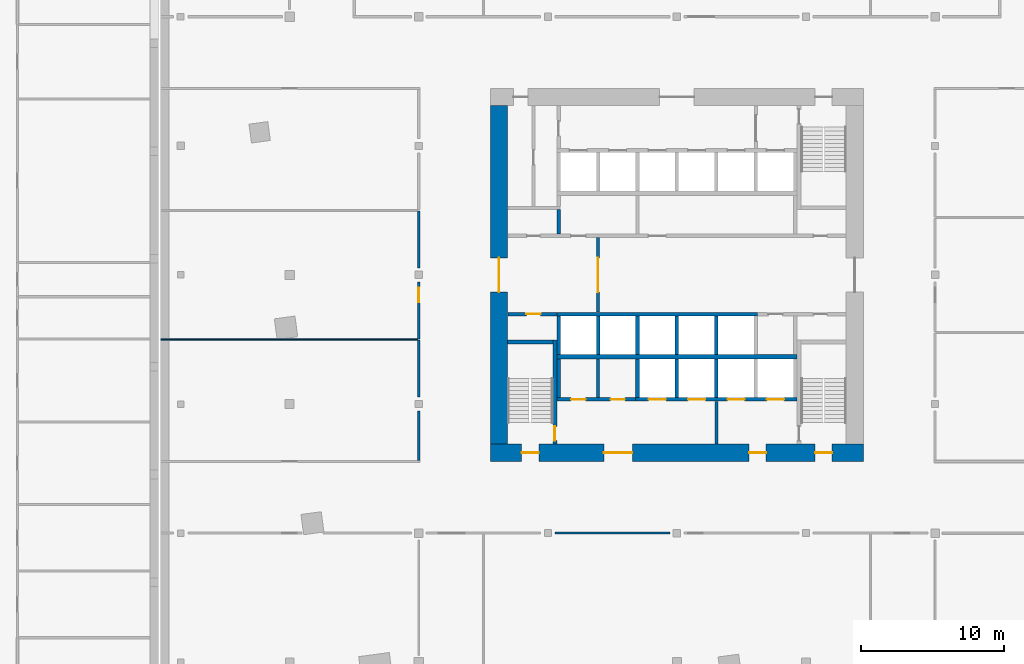
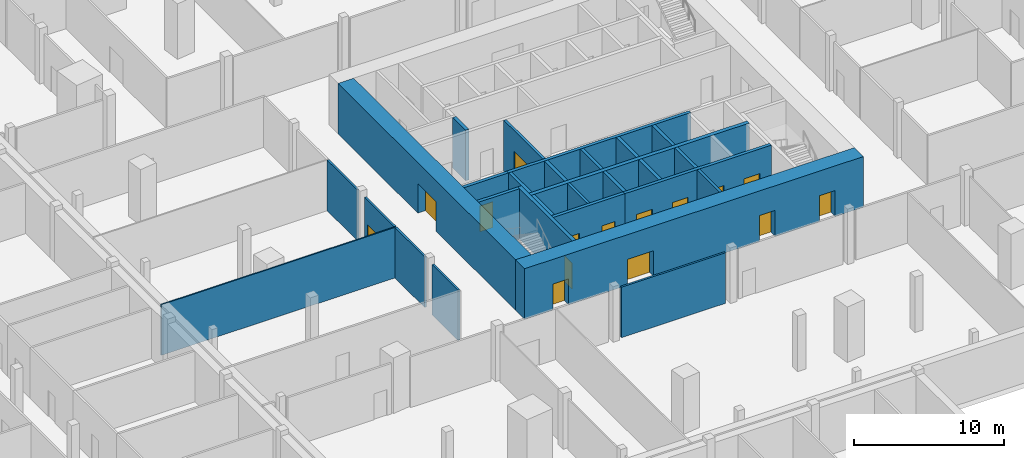
# One storey, part 7 of 18: 28 walls, 15 doors, 15 openings.
"""IFC4 building model written with IfcOpenShell, lengths in metres."""

import ifcopenshell
import ifcopenshell.guid

model = None  # the IFC model being written
_history = None  # IfcOwnerHistory: only IFC2X3 demands one
_inside = {}  # id of a spatial element -> (the spatial element, [elements in it])
_under = {}  # id of a project, library or spatial element -> (it, [spatial elements below it])
_declared = {}  # id of a project -> (the project, [libraries it declares])
_typed = {}  # id of a type object -> (the type object, [elements of that type])
_made_of = {}  # id of a material, layer set ... -> (it, [elements and type objects made of it])


def new_model(schema):
    """Start an empty IFC model of exactly this schema.

    Asked for "IFC4X3", IfcOpenShell would pick the latest addendum, in which some entities
    have other attributes; the version numbers below select the first issue.
    IFC2X3 requires an IfcOwnerHistory on every rooted entity: one is made here for all.
    """
    global model, _history
    if schema == "IFC4X3":
        model = ifcopenshell.file(schema_version=(4, 3, 0, 0))
    else:
        model = ifcopenshell.file(schema=schema)
    _inside.clear()
    _under.clear()
    _declared.clear()
    _typed.clear()
    _made_of.clear()
    _history = None
    if model.schema == "IFC2X3":
        org = make("IfcOrganization", Name="unknown")
        user = make(
            "IfcPersonAndOrganization",
            ThePerson=make("IfcPerson", FamilyName="unknown"),
            TheOrganization=org,
        )
        app = make(
            "IfcApplication",
            ApplicationDeveloper=org,
            Version="unknown",
            ApplicationFullName="unknown",
            ApplicationIdentifier="unknown",
        )
        _history = make(
            "IfcOwnerHistory",
            OwningUser=user,
            OwningApplication=app,
            ChangeAction="ADDED",
            CreationDate=0,
        )
    return model


def make(cls, **values):
    """One entity of the class cls with the attributes given. An attribute that is None is left unset."""
    return model.create_entity(
        cls, **{name: value for name, value in values.items() if value is not None}
    )


def rooted(cls, **values):
    """An entity with a GlobalId (a new one), such as an element, a storey or a relation."""
    return make(cls, GlobalId=ifcopenshell.guid.new(), OwnerHistory=_history, **values)


def si_unit(unit_type, name, prefix=None):
    """IfcSIUnit, for example si_unit("LENGTHUNIT", "METRE", prefix="MILLI")."""
    return make("IfcSIUnit", UnitType=unit_type, Prefix=prefix, Name=name)


def assignment(units):
    """IfcUnitAssignment: the units of a project."""
    return None if units is None else make("IfcUnitAssignment", Units=units)


def point(xyz):
    """IfcCartesianPoint."""
    return None if xyz is None else make("IfcCartesianPoint", Coordinates=xyz)


def direction(xyz):
    """IfcDirection."""
    return None if xyz is None else make("IfcDirection", DirectionRatios=xyz)


def frame(location, z_axis=None, x_axis=None):
    """IfcAxis2Placement3D, a coordinate frame: its origin and axes. An axis left out is left unset."""
    return make(
        "IfcAxis2Placement3D",
        Location=point(location),
        Axis=direction(z_axis),
        RefDirection=direction(x_axis),
    )


def frame_2d(location, x_axis=None):
    """IfcAxis2Placement2D, a coordinate frame in the plane: its origin and x axis."""
    return make(
        "IfcAxis2Placement2D", Location=point(location), RefDirection=direction(x_axis)
    )


def origin():
    """The frame at (0, 0, 0) with its axes left unset."""
    return frame((0.0, 0.0, 0.0))


def place(relative_to, where):
    """IfcLocalPlacement: puts the frame where relative to a parent placement (None: the world)."""
    return make(
        "IfcLocalPlacement", PlacementRelTo=relative_to, RelativePlacement=where
    )


def context(
    kind, dimensions, precision=None, world=None, true_north=None, identifier=None
):
    """IfcGeometricRepresentationContext, for example the 3D "Model" context."""
    return make(
        "IfcGeometricRepresentationContext",
        ContextIdentifier=identifier,
        ContextType=kind,
        CoordinateSpaceDimension=dimensions,
        Precision=precision,
        WorldCoordinateSystem=world,
        TrueNorth=true_north,
    )


def subcontext(parent, identifier, kind, view, scale=None):
    """IfcGeometricRepresentationSubContext, for example "Body" below "Model"."""
    return make(
        "IfcGeometricRepresentationSubContext",
        ContextIdentifier=identifier,
        ContextType=kind,
        ParentContext=parent,
        TargetScale=scale,
        TargetView=view,
    )


def project(units=None, contexts=None):
    """IfcProject with its units and contexts."""
    return rooted(
        "IfcProject",
        Name="project",
        RepresentationContexts=contexts,
        UnitsInContext=assignment(units),
    )


def spatial(cls, under=None, at=None, **own):
    """A site, building, storey or space (cls), placed at a placement, below another one or the project."""
    s = rooted(cls, ObjectPlacement=at, **own)
    if under is not None:
        _under.setdefault(under.id(), (under, []))[1].append(s)
    return s


def profile(cls, at=None, kind="AREA", **sizes):
    """A parametric profile (cls). Its sizes go by their IFC names, for example OverallWidth=200.0."""
    return make(cls, ProfileType=kind, Position=at, **sizes)


def rectangle(**sizes):
    """IfcRectangleProfileDef."""
    return profile("IfcRectangleProfileDef", **sizes)


def extrude(swept, where, along, depth):
    """IfcExtrudedAreaSolid: the profile swept, set in the frame where, extruded along a direction by depth."""
    return make(
        "IfcExtrudedAreaSolid",
        SweptArea=swept,
        Position=where,
        ExtrudedDirection=direction(along),
        Depth=depth,
    )


def shape(context_of_items, identifier, shape_type, items):
    """IfcShapeRepresentation: the items that make up one representation, for example the "Body"."""
    return make(
        "IfcShapeRepresentation",
        ContextOfItems=context_of_items,
        RepresentationIdentifier=identifier,
        RepresentationType=shape_type,
        Items=items,
    )


def material(Name=None, Category=None):
    """IfcMaterial."""
    return make("IfcMaterial", Name=Name, Category=Category)


def layer(
    of_material, thickness, ventilated=None, Name=None, Category=None, Priority=None
):
    """IfcMaterialLayer: one layer of a wall or slab, of a material (None: an air gap)."""
    return make(
        "IfcMaterialLayer",
        Material=of_material,
        LayerThickness=thickness,
        IsVentilated=ventilated,
        Name=Name,
        Category=Category,
        Priority=Priority,
    )


def layer_set(layers, Name=None):
    """IfcMaterialLayerSet."""
    return make("IfcMaterialLayerSet", MaterialLayers=layers, LayerSetName=Name)


def made_of(thing, what):
    """Note that an element or type object is made of a material, layer set ...; save() writes the relation."""
    if what is not None:
        _made_of.setdefault(what.id(), (what, []))[1].append(thing)
    return thing


def type_object(cls, material=None, **own):
    """A type object (cls), such as IfcWallType, which elements share."""
    return made_of(rooted(cls, **own), material)


def element(
    cls,
    number,
    at=None,
    inside=None,
    cuts=None,
    type_object=None,
    material=None,
    context=None,
    identifier="Body",
    shape_type=None,
    held_by="IfcProductDefinitionShape",
    body=None,
    shapes=None,
    **own,
):
    """One element of the class cls, such as IfcWall. Its Tag is "e" and its number.

    at: its placement. inside: the storey or other place that contains it. cuts: it is an
    opening in that element (IfcRelVoidsElement). A single representation is given by context,
    identifier, shape_type and body (its items); several are given by shapes. held_by: the class
    of the entity that holds the representations. save() writes the other relations.
    """
    e = rooted(cls, Tag="e%d" % number, ObjectPlacement=at, **own)
    if body is not None:
        shapes = [shape(context, identifier, shape_type, body)]
    if shapes is not None:
        e.Representation = make(held_by, Representations=shapes)
    if inside is not None:
        _inside.setdefault(inside.id(), (inside, []))[1].append(e)
    if cuts is not None:
        rooted(
            "IfcRelVoidsElement", RelatingBuildingElement=cuts, RelatedOpeningElement=e
        )
    if type_object is not None:
        _typed.setdefault(type_object.id(), (type_object, []))[1].append(e)
    return made_of(e, material)


def fill(opening, filler):
    """IfcRelFillsElement: the door or window that sits in an opening."""
    return rooted(
        "IfcRelFillsElement",
        RelatingOpeningElement=opening,
        RelatedBuildingElement=filler,
    )


def aggregate(whole, parts):
    """IfcRelAggregates: a whole, such as a stair, and the parts it consists of."""
    return rooted("IfcRelAggregates", RelatingObject=whole, RelatedObjects=parts)


def save(model, path):
    """Write the relations noted so far, then the file.

    IfcRelAggregates (storeys below a building ...), IfcRelContainedInSpatialStructure (elements
    in a storey), IfcRelDefinesByType, IfcRelAssociatesMaterial and IfcRelDeclares: one each for
    every whole, place, type object, material and project.
    """
    for whole, parts in _under.values():
        aggregate(whole, parts)
    for where, things in _inside.values():
        rooted(
            "IfcRelContainedInSpatialStructure",
            RelatedElements=things,
            RelatingStructure=where,
        )
    for kind, things in _typed.values():
        rooted("IfcRelDefinesByType", RelatedObjects=things, RelatingType=kind)
    for what, things in _made_of.values():
        rooted("IfcRelAssociatesMaterial", RelatedObjects=things, RelatingMaterial=what)
    for by, libraries in _declared.values():
        rooted("IfcRelDeclares", RelatingContext=by, RelatedDefinitions=libraries)
    model.write(path)


model = new_model("IFC4")

# Units and contexts
model_context = context("Model", 3, precision=1e-05, world=origin(), true_north=direction((0.0, 1.0)))
body_context = subcontext(model_context, "Body", "Model", "MODEL_VIEW")
ifc_project = project(units=[si_unit("LENGTHUNIT", "METRE"), si_unit("AREAUNIT", "SQUARE_METRE"), si_unit("VOLUMEUNIT", "CUBIC_METRE"), si_unit("PLANEANGLEUNIT", "RADIAN"), si_unit("MASSUNIT", "GRAM", prefix="KILO")], contexts=[model_context])

# Site, building, storey
site_placement = place(None, origin())
site = spatial("IfcSite", under=ifc_project, at=site_placement, CompositionType="ELEMENT")
building_placement = place(site_placement, origin())
building = spatial("IfcBuilding", under=site, at=building_placement, Name="Dilmun Exchange Tower", CompositionType="ELEMENT")
storey_placement = place(building_placement, frame((0.0, 0.0, 13.5)))
storey = spatial("IfcBuildingStorey", under=building, at=storey_placement, Name="L03", CompositionType="ELEMENT", Elevation=13.5)

# Walls
ifc_material_1 = material(Name="Concrete C40/50", Category="concrete")
ifc_layer_1 = layer(ifc_material_1, 0.199951171875)
ifc_layer_set_1 = layer_set([ifc_layer_1], Name="Concrete C40/50")
wall_type_1 = type_object("IfcWallType", Name="Core partition wall 200", PredefinedType="PARTITIONING", material=ifc_layer_set_1)
wall_1_placement = place(storey_placement, frame((2.75, -11.794921875, 0.0), z_axis=(0.0, 0.0, 1.0), x_axis=(0.0, 1.0, 0.0)))
element("IfcWall", 1, at=wall_1_placement, inside=storey, type_object=wall_type_1, Name="L03 core partition wall 01", PredefinedType="PARTITIONING", context=body_context, shape_type="SweptSolid", body=[
    extrude(rectangle(XDim=2.989990234375, YDim=0.199951171875, at=frame_2d((1.4951171875, 0.0))), origin(), (0.0, 0.0, 1.0), 4.10009765625),
])
wall_2_placement = place(storey_placement, frame((-5.5, -8.544921875, 0.0), z_axis=(0.0, 0.0, 1.0), x_axis=(0.0, 1.0, 0.0)))
element("IfcWall", 2, at=wall_2_placement, inside=storey, type_object=wall_type_1, Name="L03 core partition wall 04", PredefinedType="PARTITIONING", context=body_context, shape_type="SweptSolid", body=[
    extrude(rectangle(XDim=2.68994140625, YDim=0.199951171875, at=frame_2d((1.344970703125, 0.0))), origin(), (0.0, 0.0, 1.0), 4.10009765625),
])

# Wall, opening, door
wall_3_placement = place(storey_placement, frame((-5.5, -2.594970703125, 0.0), z_axis=(0.0, 0.0, 1.0), x_axis=(0.0, 1.0, 0.0)))
wall_3 = element("IfcWall", 3, at=wall_3_placement, inside=storey, type_object=wall_type_1, Name="L03 core partition wall 08", PredefinedType="PARTITIONING", context=body_context, shape_type="SweptSolid", body=[
    extrude(rectangle(XDim=5.18994140625, YDim=0.199951171875, at=frame_2d((2.594970703125, 0.0))), origin(), (0.0, 0.0, 1.0), 4.10009765625),
])
opening_1_placement = place(wall_3_placement, frame((1.39501953125, 0.0, 0.0)))
opening_1 = element("IfcOpeningElement", 4, at=opening_1_placement, cuts=wall_3, Name="Opening CD1", PredefinedType="OPENING", context=body_context, shape_type="SweptSolid", body=[
    extrude(rectangle(XDim=2.39990234375, YDim=2.39990234375, at=frame_2d((1.199951171875, 1.199951171875))), frame((0.0, 0.10986328125, 0.0), z_axis=(0.0, -1.0, 0.0), x_axis=(1.0, 0.0, 0.0)), (0.0, 0.0, 1.0), 0.219970703125),
])
ifc_material_2 = material(Name="Fire-rated steel door set", Category="steel")
door_type_1 = type_object("IfcDoorType", Name="Core lobby door 2400x2400", OperationType="DOUBLE_DOOR_DOUBLE_SWING", PredefinedType="DOOR", material=ifc_material_2)
door_1_placement = place(opening_1_placement, origin())
door_1 = element("IfcDoor", 5, at=door_1_placement, inside=storey, type_object=door_type_1, Name="L03 door Lift lobby east", OperationType="DOUBLE_DOOR_DOUBLE_SWING", OverallHeight=2.39990234375, OverallWidth=2.39990234375, PredefinedType="DOOR", context=body_context, shape_type="SweptSolid", body=[
    extrude(rectangle(XDim=2.39990234375, YDim=2.39990234375, at=frame_2d((1.199951171875, 1.199951171875))), frame((0.0, 0.02490234375, 0.0), z_axis=(0.0, -1.0, 0.0), x_axis=(1.0, 0.0, 0.0)), (0.0, 0.0, 1.0), 0.050048828125),
])
fill(opening_1, door_1)

# Wall, openings, doors
ifc_layer_2 = layer(ifc_material_1, 0.25)
ifc_layer_set_2 = layer_set([ifc_layer_2], Name="Concrete C40/50")
wall_type_2 = type_object("IfcWallType", Name="Core partition wall 250", PredefinedType="PARTITIONING", material=ifc_layer_set_2)
wall_4_placement = place(storey_placement, frame((-8.3701171875, -8.675048828125, 0.0), z_axis=(0.0, 0.0, 1.0), x_axis=(1.0, 0.0, 0.0)))
wall_4 = element("IfcWall", 6, at=wall_4_placement, inside=storey, type_object=wall_type_2, Name="L03 core partition wall 02", PredefinedType="PARTITIONING", context=body_context, shape_type="SweptSolid", body=[
    extrude(rectangle(XDim=5.490234375, YDim=0.25, at=frame_2d((2.7451171875, 0.0))), origin(), (0.0, 0.0, 1.0), 4.10009765625),
])
opening_2_placement = place(wall_4_placement, frame((0.9951171875, 0.0, 0.0)))
opening_2 = element("IfcOpeningElement", 7, at=opening_2_placement, cuts=wall_4, Name="Opening CD4", PredefinedType="OPENING", context=body_context, shape_type="SweptSolid", body=[
    extrude(rectangle(XDim=1.0, YDim=2.10009765625, at=frame_2d((0.5, 1.050048828125))), frame((0.0, 0.135009765625, 0.0), z_axis=(0.0, -1.0, 0.0), x_axis=(1.0, 0.0, 0.0)), (0.0, 0.0, 1.0), 0.27001953125),
])
opening_3_placement = place(wall_4_placement, frame((3.7451171875, 0.0, 0.0)))
opening_3 = element("IfcOpeningElement", 8, at=opening_3_placement, cuts=wall_4, Name="Opening CD4", PredefinedType="OPENING", context=body_context, shape_type="SweptSolid", body=[
    extrude(rectangle(XDim=1.0, YDim=2.10009765625, at=frame_2d((0.5, 1.050048828125))), frame((0.0, 0.135009765625, 0.0), z_axis=(0.0, -1.0, 0.0), x_axis=(1.0, 0.0, 0.0)), (0.0, 0.0, 1.0), 0.27001953125),
])
door_type_2 = type_object("IfcDoorType", Name="Core room door 1000x2100", OperationType="SINGLE_SWING_LEFT", PredefinedType="DOOR", material=ifc_material_2)
door_2_placement = place(opening_2_placement, origin())
door_2 = element("IfcDoor", 9, at=door_2_placement, inside=storey, type_object=door_type_2, Name="L03 door Male WC", OperationType="SINGLE_SWING_RIGHT", OverallHeight=2.10009765625, OverallWidth=1.0, PredefinedType="DOOR", context=body_context, shape_type="SweptSolid", body=[
    extrude(rectangle(XDim=1.0, YDim=2.10009765625, at=frame_2d((0.5, 1.050048828125))), frame((0.0, 0.02490234375, 0.0), z_axis=(0.0, -1.0, 0.0), x_axis=(1.0, 0.0, 0.0)), (0.0, 0.0, 1.0), 0.050048828125),
])
fill(opening_2, door_2)
door_3_placement = place(opening_3_placement, origin())
door_3 = element("IfcDoor", 10, at=door_3_placement, inside=storey, type_object=door_type_2, Name="L03 door Female WC", OperationType="SINGLE_SWING_RIGHT", OverallHeight=2.10009765625, OverallWidth=1.0, PredefinedType="DOOR", context=body_context, shape_type="SweptSolid", body=[
    extrude(rectangle(XDim=1.0, YDim=2.10009765625, at=frame_2d((0.5, 1.050048828125))), frame((0.0, 0.02490234375, 0.0), z_axis=(0.0, -1.0, 0.0), x_axis=(1.0, 0.0, 0.0)), (0.0, 0.0, 1.0), 0.050048828125),
])
fill(opening_3, door_3)

# Wall
wall_5_placement = place(storey_placement, frame((-8.25, -8.544921875, 0.0), z_axis=(0.0, 0.0, 1.0), x_axis=(0.0, 1.0, 0.0)))
element("IfcWall", 11, at=wall_5_placement, inside=storey, type_object=wall_type_2, Name="L03 core partition wall 03", PredefinedType="PARTITIONING", context=body_context, shape_type="SweptSolid", body=[
    extrude(rectangle(XDim=2.68994140625, YDim=0.25, at=frame_2d((1.344970703125, 0.0))), origin(), (0.0, 0.0, 1.0), 4.10009765625),
])

# Wall, opening, door
wall_6_placement = place(storey_placement, frame((-11.794921875, -2.72509765625, 0.0), z_axis=(0.0, 0.0, 1.0), x_axis=(1.0, 0.0, 0.0)))
wall_6 = element("IfcWall", 12, at=wall_6_placement, inside=storey, type_object=wall_type_2, Name="L03 core partition wall 06", PredefinedType="PARTITIONING", context=body_context, shape_type="SweptSolid", body=[
    extrude(rectangle(XDim=3.4150390625, YDim=0.25, at=frame_2d((1.70751953125, 0.0))), origin(), (0.0, 0.0, 1.0), 4.10009765625),
])
opening_4_placement = place(wall_6_placement, frame((1.294921875, 0.0, 0.0)))
opening_4 = element("IfcOpeningElement", 13, at=opening_4_placement, cuts=wall_6, Name="Opening CD4", PredefinedType="OPENING", context=body_context, shape_type="SweptSolid", body=[
    extrude(rectangle(XDim=1.0, YDim=2.10009765625, at=frame_2d((0.5, 1.050048828125))), frame((0.0, 0.135009765625, 0.0), z_axis=(0.0, -1.0, 0.0), x_axis=(1.0, 0.0, 0.0)), (0.0, 0.0, 1.0), 0.27001953125),
])
door_4_placement = place(opening_4_placement, origin())
door_4 = element("IfcDoor", 14, at=door_4_placement, inside=storey, type_object=door_type_2, Name="L03 door Accessible WC", OperationType="SINGLE_SWING_RIGHT", OverallHeight=2.10009765625, OverallWidth=1.0, PredefinedType="DOOR", context=body_context, shape_type="SweptSolid", body=[
    extrude(rectangle(XDim=1.0, YDim=2.10009765625, at=frame_2d((0.5, 1.050048828125))), frame((0.0, 0.02490234375, 0.0), z_axis=(0.0, -1.0, 0.0), x_axis=(1.0, 0.0, 0.0)), (0.0, 0.0, 1.0), 0.050048828125),
])
fill(opening_4, door_4)

# Wall
wall_7_placement = place(storey_placement, frame((-8.25, 2.85498046875, 0.0), z_axis=(0.0, 0.0, 1.0), x_axis=(0.0, 1.0, 0.0)))
element("IfcWall", 15, at=wall_7_placement, inside=storey, type_object=wall_type_2, Name="L03 core partition wall 10", PredefinedType="PARTITIONING", context=body_context, shape_type="SweptSolid", body=[
    extrude(rectangle(XDim=1.715087890625, YDim=0.25, at=frame_2d((0.857421875, 0.0))), origin(), (0.0, 0.0, 1.0), 4.10009765625),
])

# Wall, openings, doors
ifc_material_3 = material(Name="Concrete C80/95", Category="concrete")
ifc_layer_3 = layer(ifc_material_3, 1.199951171875)
ifc_layer_set_3 = layer_set([ifc_layer_3], Name="Concrete C80/95")
wall_type_3 = type_object("IfcWallType", Name="Core shear wall 1200 Concrete C80/95", PredefinedType="SHEAR", material=ifc_layer_set_3)
wall_8_placement = place(storey_placement, frame((-13.0, -12.39990234375, 0.0), z_axis=(0.0, 0.0, 1.0), x_axis=(1.0, 0.0, 0.0)))
wall_8 = element("IfcWall", 16, at=wall_8_placement, inside=storey, type_object=wall_type_3, Name="L03 core shear wall S", PredefinedType="SHEAR", context=body_context, shape_type="SweptSolid", body=[
    extrude(rectangle(XDim=26.0, YDim=1.199951171875, at=frame_2d((13.0, 0.0))), origin(), (0.0, 0.0, 1.0), 4.10009765625),
])
opening_5_placement = place(wall_8_placement, frame((7.89990234375, 0.0, 0.0)))
opening_5 = element("IfcOpeningElement", 17, at=opening_5_placement, cuts=wall_8, Name="Opening CD2", PredefinedType="OPENING", context=body_context, shape_type="SweptSolid", body=[
    extrude(rectangle(XDim=2.0, YDim=2.10009765625, at=frame_2d((1.0, 1.050048828125))), frame((0.0, 0.60986328125, 0.0), z_axis=(0.0, -1.0, 0.0), x_axis=(1.0, 0.0, 0.0)), (0.0, 0.0, 1.0), 1.219970703125),
])
opening_6_placement = place(wall_8_placement, frame((18.02490234375, 0.0, 0.0)))
opening_6 = element("IfcOpeningElement", 18, at=opening_6_placement, cuts=wall_8, Name="Opening CD3", PredefinedType="OPENING", context=body_context, shape_type="SweptSolid", body=[
    extrude(rectangle(XDim=1.199951171875, YDim=2.10009765625, at=frame_2d((0.60009765625, 1.050048828125))), frame((0.0, 0.60986328125, 0.0), z_axis=(0.0, -1.0, 0.0), x_axis=(1.0, 0.0, 0.0)), (0.0, 0.0, 1.0), 1.219970703125),
])
opening_7_placement = place(wall_8_placement, frame((2.175048828125, 0.0, 0.0)))
opening_7 = element("IfcOpeningElement", 19, at=opening_7_placement, cuts=wall_8, Name="Opening CD3", PredefinedType="OPENING", context=body_context, shape_type="SweptSolid", body=[
    extrude(rectangle(XDim=1.199951171875, YDim=2.10009765625, at=frame_2d((0.60009765625, 1.050048828125))), frame((0.0, 0.60986328125, 0.0), z_axis=(0.0, -1.0, 0.0), x_axis=(1.0, 0.0, 0.0)), (0.0, 0.0, 1.0), 1.219970703125),
])
opening_8_placement = place(wall_8_placement, frame((22.625, 0.0, 0.0)))
opening_8 = element("IfcOpeningElement", 20, at=opening_8_placement, cuts=wall_8, Name="Opening CD3", PredefinedType="OPENING", context=body_context, shape_type="SweptSolid", body=[
    extrude(rectangle(XDim=1.199951171875, YDim=2.10009765625, at=frame_2d((0.60009765625, 1.050048828125))), frame((0.0, 0.60986328125, 0.0), z_axis=(0.0, -1.0, 0.0), x_axis=(1.0, 0.0, 0.0)), (0.0, 0.0, 1.0), 1.219970703125),
])
door_type_3 = type_object("IfcDoorType", Name="Core service door 2000x2100", OperationType="DOUBLE_DOOR_DOUBLE_SWING", PredefinedType="DOOR", material=ifc_material_2)
door_5_placement = place(opening_5_placement, origin())
door_5 = element("IfcDoor", 21, at=door_5_placement, inside=storey, type_object=door_type_3, Name="L03 door South service lobby", OperationType="SINGLE_SWING_LEFT", OverallHeight=2.10009765625, OverallWidth=2.0, PredefinedType="DOOR", context=body_context, shape_type="SweptSolid", body=[
    extrude(rectangle(XDim=2.0, YDim=2.10009765625, at=frame_2d((1.0, 1.050048828125))), frame((0.0, 0.02490234375, 0.0), z_axis=(0.0, -1.0, 0.0), x_axis=(1.0, 0.0, 0.0)), (0.0, 0.0, 1.0), 0.050048828125),
])
fill(opening_5, door_5)
door_type_4 = type_object("IfcDoorType", Name="Stair exit door 1200x2100", OperationType="SINGLE_SWING_LEFT", PredefinedType="DOOR", material=ifc_material_2)
door_6_placement = place(opening_6_placement, origin())
door_6 = element("IfcDoor", 22, at=door_6_placement, inside=storey, type_object=door_type_4, Name="L03 door Fire-fighting lobby", OperationType="SINGLE_SWING_LEFT", OverallHeight=2.10009765625, OverallWidth=1.199951171875, PredefinedType="DOOR", context=body_context, shape_type="SweptSolid", body=[
    extrude(rectangle(XDim=1.199951171875, YDim=2.10009765625, at=frame_2d((0.60009765625, 1.050048828125))), frame((0.0, 0.02490234375, 0.0), z_axis=(0.0, -1.0, 0.0), x_axis=(1.0, 0.0, 0.0)), (0.0, 0.0, 1.0), 0.050048828125),
])
fill(opening_6, door_6)
door_7_placement = place(opening_7_placement, origin())
door_7 = element("IfcDoor", 23, at=door_7_placement, inside=storey, type_object=door_type_4, Name="L03 door Stair ST2", OperationType="SINGLE_SWING_LEFT", OverallHeight=2.10009765625, OverallWidth=1.199951171875, PredefinedType="DOOR", context=body_context, shape_type="SweptSolid", body=[
    extrude(rectangle(XDim=1.199951171875, YDim=2.10009765625, at=frame_2d((0.60009765625, 1.050048828125))), frame((0.0, 0.02490234375, 0.0), z_axis=(0.0, -1.0, 0.0), x_axis=(1.0, 0.0, 0.0)), (0.0, 0.0, 1.0), 0.050048828125),
])
fill(opening_7, door_7)
door_8_placement = place(opening_8_placement, origin())
door_8 = element("IfcDoor", 24, at=door_8_placement, inside=storey, type_object=door_type_4, Name="L03 door Stair ST3", OperationType="SINGLE_SWING_LEFT", OverallHeight=2.10009765625, OverallWidth=1.199951171875, PredefinedType="DOOR", context=body_context, shape_type="SweptSolid", body=[
    extrude(rectangle(XDim=1.199951171875, YDim=2.10009765625, at=frame_2d((0.60009765625, 1.050048828125))), frame((0.0, 0.02490234375, 0.0), z_axis=(0.0, -1.0, 0.0), x_axis=(1.0, 0.0, 0.0)), (0.0, 0.0, 1.0), 0.050048828125),
])
fill(opening_8, door_8)

# Wall, opening, door
wall_9_placement = place(storey_placement, frame((-12.39990234375, -11.800048828125, 0.0), z_axis=(0.0, 0.0, 1.0), x_axis=(0.0, 1.0, 0.0)))
wall_9 = element("IfcWall", 25, at=wall_9_placement, inside=storey, type_object=wall_type_3, Name="L03 core shear wall W", PredefinedType="SHEAR", context=body_context, shape_type="SweptSolid", body=[
    extrude(rectangle(XDim=23.60009765625, YDim=1.199951171875, at=frame_2d((11.800048828125, 0.0))), origin(), (0.0, 0.0, 1.0), 4.10009765625),
])
opening_9_placement = place(wall_9_placement, frame((10.60009765625, 0.0, 0.0)))
opening_9 = element("IfcOpeningElement", 26, at=opening_9_placement, cuts=wall_9, Name="Opening CD1", PredefinedType="OPENING", context=body_context, shape_type="SweptSolid", body=[
    extrude(rectangle(XDim=2.39990234375, YDim=2.39990234375, at=frame_2d((1.199951171875, 1.199951171875))), frame((0.0, 0.60986328125, 0.0), z_axis=(0.0, -1.0, 0.0), x_axis=(1.0, 0.0, 0.0)), (0.0, 0.0, 1.0), 1.219970703125),
])
door_9_placement = place(opening_9_placement, origin())
door_9 = element("IfcDoor", 27, at=door_9_placement, inside=storey, type_object=door_type_1, Name="L03 door Central lift lobby", OperationType="SINGLE_SWING_LEFT", OverallHeight=2.39990234375, OverallWidth=2.39990234375, PredefinedType="DOOR", context=body_context, shape_type="SweptSolid", body=[
    extrude(rectangle(XDim=2.39990234375, YDim=2.39990234375, at=frame_2d((1.199951171875, 1.199951171875))), frame((0.0, 0.02490234375, 0.0), z_axis=(0.0, -1.0, 0.0), x_axis=(1.0, 0.0, 0.0)), (0.0, 0.0, 1.0), 0.050048828125),
])
fill(opening_9, door_9)

# Walls
ifc_material_4 = material(Name="Fire partition EI 60 150 gypsum")
ifc_layer_4 = layer(ifc_material_4, 0.14990234375)
ifc_layer_set_4 = layer_set([ifc_layer_4], Name="Fire partition EI 60 150 gypsum")
wall_type_4 = type_object("IfcWallType", Name="Fire partition EI 60 150 gypsum", PredefinedType="PARTITIONING", material=ifc_layer_set_4)
wall_10_placement = place(storey_placement, frame((-8.5, -18.0, 0.0), z_axis=(0.0, 0.0, 1.0), x_axis=(1.0, 0.0, 0.0)))
element("IfcWall", 28, at=wall_10_placement, inside=storey, type_object=wall_type_4, Name="L03 partition", PredefinedType="PARTITIONING", context=body_context, shape_type="SweptSolid", body=[
    extrude(rectangle(XDim=8.0, YDim=0.14990234375, at=frame_2d((4.0, 0.0))), origin(), (0.0, 0.0, 1.0), 4.10009765625),
])
wall_11_placement = place(storey_placement, frame((-18.0, -12.925048828125, 0.0), z_axis=(0.0, 0.0, 1.0), x_axis=(0.0, 1.0, 0.0)))
element("IfcWall", 29, at=wall_11_placement, inside=storey, type_object=wall_type_4, Name="L03 partition", PredefinedType="PARTITIONING", context=body_context, shape_type="SweptSolid", body=[
    extrude(rectangle(XDim=3.425048828125, YDim=0.14990234375, at=frame_2d((1.71240234375, 0.0))), origin(), (0.0, 0.0, 1.0), 4.10009765625),
])
wall_12_placement = place(storey_placement, frame((-18.0, -8.5, 0.0), z_axis=(0.0, 0.0, 1.0), x_axis=(0.0, 1.0, 0.0)))
element("IfcWall", 30, at=wall_12_placement, inside=storey, type_object=wall_type_4, Name="L03 partition", PredefinedType="PARTITIONING", context=body_context, shape_type="SweptSolid", body=[
    extrude(rectangle(XDim=3.949951171875, YDim=0.14990234375, at=frame_2d((1.97509765625, 0.0))), origin(), (0.0, 0.0, 1.0), 4.10009765625),
])

# Wall, opening, door
wall_13_placement = place(storey_placement, frame((-18.0, -4.449951171875, 0.0), z_axis=(0.0, 0.0, 1.0), x_axis=(0.0, 1.0, 0.0)))
wall_13 = element("IfcWall", 31, at=wall_13_placement, inside=storey, type_object=wall_type_4, Name="L03 partition", PredefinedType="PARTITIONING", context=body_context, shape_type="SweptSolid", body=[
    extrude(rectangle(XDim=3.949951171875, YDim=0.14990234375, at=frame_2d((1.97509765625, 0.0))), origin(), (0.0, 0.0, 1.0), 4.10009765625),
])
opening_10_placement = place(wall_13_placement, frame((2.550048828125, 0.0, 0.0)))
opening_10 = element("IfcOpeningElement", 32, at=opening_10_placement, cuts=wall_13, Name="Opening L03-D018", PredefinedType="OPENING", context=body_context, shape_type="SweptSolid", body=[
    extrude(rectangle(XDim=1.0, YDim=2.10009765625, at=frame_2d((0.5, 1.050048828125))), frame((0.0, 0.0849609375, 0.0), z_axis=(0.0, -1.0, 0.0), x_axis=(1.0, 0.0, 0.0)), (0.0, 0.0, 1.0), 0.169921875),
])
ifc_material_5 = material(Name="Fire door FD60 1000 x 2100")
door_type_5 = type_object("IfcDoorType", Name="Fire door FD60 1000 x 2100", OperationType="SINGLE_SWING_LEFT", PredefinedType="DOOR", material=ifc_material_5)
door_10_placement = place(opening_10_placement, origin())
door_10 = element("IfcDoor", 33, at=door_10_placement, inside=storey, type_object=door_type_5, Name="L03 door L03-D018", OperationType="SINGLE_SWING_RIGHT", OverallHeight=2.10009765625, OverallWidth=1.0, PredefinedType="DOOR", context=body_context, shape_type="SweptSolid", body=[
    extrude(rectangle(XDim=1.0, YDim=2.10009765625, at=frame_2d((0.5, 1.050048828125))), frame((0.0, 0.02490234375, 0.0), z_axis=(0.0, -1.0, 0.0), x_axis=(1.0, 0.0, 0.0)), (0.0, 0.0, 1.0), 0.050048828125),
])
fill(opening_10, door_10)

# Walls
wall_14_placement = place(storey_placement, frame((-18.0, 0.5, 0.0), z_axis=(0.0, 0.0, 1.0), x_axis=(0.0, 1.0, 0.0)))
element("IfcWall", 34, at=wall_14_placement, inside=storey, type_object=wall_type_4, Name="L03 partition", PredefinedType="PARTITIONING", context=body_context, shape_type="SweptSolid", body=[
    extrude(rectangle(XDim=3.949951171875, YDim=0.14990234375, at=frame_2d((1.97509765625, 0.0))), origin(), (0.0, 0.0, 1.0), 4.10009765625),
])
ifc_layer_5 = layer(ifc_material_1, 0.300048828125)
ifc_layer_set_5 = layer_set([ifc_layer_5], Name="Concrete C40/50")
wall_type_5 = type_object("IfcWallType", Name="Lift shaft shared wall 300", PredefinedType="SOLIDWALL", material=ifc_layer_set_5)
wall_15_placement = place(storey_placement, frame((-8.375, -5.699951171875, 0.0), z_axis=(0.0, 0.0, 1.0), x_axis=(1.0, 0.0, 0.0)))
element("IfcWall", 35, at=wall_15_placement, inside=storey, type_object=wall_type_5, Name="L03 lift shaft rear wall S", PredefinedType="SOLIDWALL", context=body_context, shape_type="SweptSolid", body=[
    extrude(rectangle(XDim=16.75, YDim=0.300048828125, at=frame_2d((8.375, 0.0))), origin(), (0.0, 0.0, 1.0), 4.10009765625),
])
ifc_layer_6 = layer(ifc_material_1, 0.25)
ifc_layer_set_6 = layer_set([ifc_layer_6], Name="Concrete C40/50")
wall_type_6 = type_object("IfcWallType", Name="Lift shaft wall 250", PredefinedType="SOLIDWALL", material=ifc_layer_set_6)
wall_16_placement = place(storey_placement, frame((-8.375, -2.72509765625, 0.0), z_axis=(0.0, 0.0, 1.0), x_axis=(1.0, 0.0, 0.0)))
element("IfcWall", 36, at=wall_16_placement, inside=storey, type_object=wall_type_6, Name="L03 lift shaft front wall S1", PredefinedType="SOLIDWALL", context=body_context, shape_type="SweptSolid", body=[
    extrude(rectangle(XDim=14.0, YDim=0.25, at=frame_2d((7.0, 0.0))), origin(), (0.0, 0.0, 1.0), 4.10009765625),
])
for number, where, z_axis, x_axis, name in (
    (37, (-8.25, -5.550048828125, 0.0), (0.0, 0.0, 1.0), (0.0, 1.0, 0.0), "L03 lift shaft divider S10"),
    (38, (-5.5, -5.550048828125, 0.0), (0.0, 0.0, 1.0), (0.0, 1.0, 0.0), "L03 lift shaft divider S11"),
    (39, (-2.75, -5.550048828125, 0.0), (0.0, 0.0, 1.0), (0.0, 1.0, 0.0), "L03 lift shaft divider S12"),
    (40, (0.0, -5.550048828125, 0.0), (0.0, 0.0, 1.0), (0.0, 1.0, 0.0), "L03 lift shaft divider S13"),
    (41, (2.75, -5.550048828125, 0.0), (0.0, 0.0, 1.0), (0.0, 1.0, 0.0), "L03 lift shaft divider S14"),
):
    element("IfcWall", number, at=place(storey_placement, frame(where, z_axis=z_axis, x_axis=x_axis)), inside=storey, type_object=wall_type_6, Name=name, PredefinedType="SOLIDWALL", context=body_context, shape_type="SweptSolid", body=[
        extrude(rectangle(XDim=2.699951171875, YDim=0.25, at=frame_2d((1.35009765625, 0.0))), origin(), (0.0, 0.0, 1.0), 4.10009765625),
    ])

# Wall, openings, doors
wall_17_placement = place(storey_placement, frame((-2.875, -8.675048828125, 0.0), z_axis=(0.0, 0.0, 1.0), x_axis=(1.0, 0.0, 0.0)))
wall_17 = element("IfcWall", 42, at=wall_17_placement, inside=storey, type_object=wall_type_6, Name="L03 lift shaft front wall S2", PredefinedType="SOLIDWALL", context=body_context, shape_type="SweptSolid", body=[
    extrude(rectangle(XDim=11.25, YDim=0.25, at=frame_2d((5.625, 0.0))), origin(), (0.0, 0.0, 1.0), 4.10009765625),
])
opening_11_placement = place(wall_17_placement, frame((0.89990234375, 0.0, 0.0)))
opening_11 = element("IfcOpeningElement", 43, at=opening_11_placement, cuts=wall_17, Name="Opening LD", PredefinedType="OPENING", context=body_context, shape_type="SweptSolid", body=[
    extrude(rectangle(XDim=1.199951171875, YDim=2.10009765625, at=frame_2d((0.60009765625, 1.050048828125))), frame((0.0, 0.135009765625, 0.0), z_axis=(0.0, -1.0, 0.0), x_axis=(1.0, 0.0, 0.0)), (0.0, 0.0, 1.0), 0.27001953125),
])
opening_12_placement = place(wall_17_placement, frame((3.64990234375, 0.0, 0.0)))
opening_12 = element("IfcOpeningElement", 44, at=opening_12_placement, cuts=wall_17, Name="Opening LD", PredefinedType="OPENING", context=body_context, shape_type="SweptSolid", body=[
    extrude(rectangle(XDim=1.199951171875, YDim=2.10009765625, at=frame_2d((0.60009765625, 1.050048828125))), frame((0.0, 0.135009765625, 0.0), z_axis=(0.0, -1.0, 0.0), x_axis=(1.0, 0.0, 0.0)), (0.0, 0.0, 1.0), 0.27001953125),
])
opening_13_placement = place(wall_17_placement, frame((6.39990234375, 0.0, 0.0)))
opening_13 = element("IfcOpeningElement", 45, at=opening_13_placement, cuts=wall_17, Name="Opening LD", PredefinedType="OPENING", context=body_context, shape_type="SweptSolid", body=[
    extrude(rectangle(XDim=1.199951171875, YDim=2.10009765625, at=frame_2d((0.60009765625, 1.050048828125))), frame((0.0, 0.135009765625, 0.0), z_axis=(0.0, -1.0, 0.0), x_axis=(1.0, 0.0, 0.0)), (0.0, 0.0, 1.0), 0.27001953125),
])
opening_14_placement = place(wall_17_placement, frame((9.14990234375, 0.0, 0.0)))
opening_14 = element("IfcOpeningElement", 46, at=opening_14_placement, cuts=wall_17, Name="Opening LD", PredefinedType="OPENING", context=body_context, shape_type="SweptSolid", body=[
    extrude(rectangle(XDim=1.199951171875, YDim=2.10009765625, at=frame_2d((0.60009765625, 1.050048828125))), frame((0.0, 0.135009765625, 0.0), z_axis=(0.0, -1.0, 0.0), x_axis=(1.0, 0.0, 0.0)), (0.0, 0.0, 1.0), 0.27001953125),
])
door_type_6 = type_object("IfcDoorType", Name="Lift landing door 1200x2100", OperationType="DOUBLE_DOOR_SLIDING", PredefinedType="DOOR", material=ifc_material_2)
door_11_placement = place(opening_11_placement, origin())
door_11 = element("IfcDoor", 47, at=door_11_placement, inside=storey, type_object=door_type_6, Name="L03 landing door SV1", OperationType="DOUBLE_DOOR_SLIDING", OverallHeight=2.10009765625, OverallWidth=1.199951171875, PredefinedType="DOOR", context=body_context, shape_type="SweptSolid", body=[
    extrude(rectangle(XDim=1.199951171875, YDim=2.10009765625, at=frame_2d((0.60009765625, 1.050048828125))), frame((0.0, 0.02490234375, 0.0), z_axis=(0.0, -1.0, 0.0), x_axis=(1.0, 0.0, 0.0)), (0.0, 0.0, 1.0), 0.050048828125),
])
fill(opening_11, door_11)
door_12_placement = place(opening_12_placement, origin())
door_12 = element("IfcDoor", 48, at=door_12_placement, inside=storey, type_object=door_type_6, Name="L03 landing door SV2", OperationType="DOUBLE_DOOR_SLIDING", OverallHeight=2.10009765625, OverallWidth=1.199951171875, PredefinedType="DOOR", context=body_context, shape_type="SweptSolid", body=[
    extrude(rectangle(XDim=1.199951171875, YDim=2.10009765625, at=frame_2d((0.60009765625, 1.050048828125))), frame((0.0, 0.02490234375, 0.0), z_axis=(0.0, -1.0, 0.0), x_axis=(1.0, 0.0, 0.0)), (0.0, 0.0, 1.0), 0.050048828125),
])
fill(opening_12, door_12)
door_13_placement = place(opening_13_placement, origin())
door_13 = element("IfcDoor", 49, at=door_13_placement, inside=storey, type_object=door_type_6, Name="L03 landing door FF1", OperationType="DOUBLE_DOOR_SLIDING", OverallHeight=2.10009765625, OverallWidth=1.199951171875, PredefinedType="DOOR", context=body_context, shape_type="SweptSolid", body=[
    extrude(rectangle(XDim=1.199951171875, YDim=2.10009765625, at=frame_2d((0.60009765625, 1.050048828125))), frame((0.0, 0.02490234375, 0.0), z_axis=(0.0, -1.0, 0.0), x_axis=(1.0, 0.0, 0.0)), (0.0, 0.0, 1.0), 0.050048828125),
])
fill(opening_13, door_13)
door_14_placement = place(opening_14_placement, origin())
door_14 = element("IfcDoor", 50, at=door_14_placement, inside=storey, type_object=door_type_6, Name="L03 landing door FF2", OperationType="DOUBLE_DOOR_SLIDING", OverallHeight=2.10009765625, OverallWidth=1.199951171875, PredefinedType="DOOR", context=body_context, shape_type="SweptSolid", body=[
    extrude(rectangle(XDim=1.199951171875, YDim=2.10009765625, at=frame_2d((0.60009765625, 1.050048828125))), frame((0.0, 0.02490234375, 0.0), z_axis=(0.0, -1.0, 0.0), x_axis=(1.0, 0.0, 0.0)), (0.0, 0.0, 1.0), 0.050048828125),
])
fill(opening_14, door_14)

# Walls
for number, where, z_axis, x_axis, name in (
    (51, (-2.75, -8.550048828125, 0.0), (0.0, 0.0, 1.0), (0.0, 1.0, 0.0), "L03 lift shaft divider S22"),
    (52, (0.0, -8.550048828125, 0.0), (0.0, 0.0, 1.0), (0.0, 1.0, 0.0), "L03 lift shaft divider S23"),
    (53, (2.75, -8.550048828125, 0.0), (0.0, 0.0, 1.0), (0.0, 1.0, 0.0), "L03 lift shaft divider S24"),
):
    element("IfcWall", number, at=place(storey_placement, frame(where, z_axis=z_axis, x_axis=x_axis)), inside=storey, type_object=wall_type_6, Name=name, PredefinedType="SOLIDWALL", context=body_context, shape_type="SweptSolid", body=[
        extrude(rectangle(XDim=2.699951171875, YDim=0.25, at=frame_2d((1.35009765625, 0.0))), origin(), (0.0, 0.0, 1.0), 4.10009765625),
    ])
ifc_material_6 = material(Name="Partition 100 gypsum")
ifc_layer_7 = layer(ifc_material_6, 0.10009765625)
ifc_layer_set_7 = layer_set([ifc_layer_7], Name="Partition 100 gypsum")
wall_type_7 = type_object("IfcWallType", Name="Partition 100 gypsum", PredefinedType="PARTITIONING", material=ifc_layer_set_7)
wall_18_placement = place(storey_placement, frame((-36.0, -4.5, 0.0), z_axis=(0.0, 0.0, 1.0), x_axis=(1.0, 0.0, 0.0)))
element("IfcWall", 54, at=wall_18_placement, inside=storey, type_object=wall_type_7, Name="L03 partition", PredefinedType="PARTITIONING", context=body_context, shape_type="SweptSolid", body=[
    extrude(rectangle(XDim=17.925048828125, YDim=0.10009765625, at=frame_2d((8.96240234375, 0.0))), origin(), (0.0, 0.0, 1.0), 4.10009765625),
])
ifc_layer_8 = layer(ifc_material_1, 0.25)
ifc_layer_set_8 = layer_set([ifc_layer_8], Name="Concrete C40/50")
wall_type_8 = type_object("IfcWallType", Name="Stair end wall 250", PredefinedType="SOLIDWALL", material=ifc_layer_set_8)
wall_19_placement = place(storey_placement, frame((-8.64990234375, -4.675048828125, 0.0), z_axis=(0.0, 0.0, 1.0), x_axis=(-1.0, 0.0, 0.0)))
element("IfcWall", 55, at=wall_19_placement, inside=storey, type_object=wall_type_8, Name="L03 ST2 far wall", PredefinedType="SOLIDWALL", context=body_context, shape_type="SweptSolid", body=[
    extrude(rectangle(XDim=3.150146484375, YDim=0.25, at=frame_2d((1.5751953125, 0.0))), origin(), (0.0, 0.0, 1.0), 4.10009765625),
])

# Wall, opening, door
ifc_layer_9 = layer(ifc_material_1, 0.27490234375)
ifc_layer_set_9 = layer_set([ifc_layer_9], Name="Concrete C40/50")
wall_type_9 = type_object("IfcWallType", Name="Stair wall 275", PredefinedType="SOLIDWALL", material=ifc_layer_set_9)
wall_20_placement = place(storey_placement, frame((-8.512451171875, -4.550048828125, 0.0), z_axis=(0.0, 0.0, 1.0), x_axis=(0.0, -1.0, 0.0)))
wall_20 = element("IfcWall", 56, at=wall_20_placement, inside=storey, type_object=wall_type_9, Name="L03 ST2 wall to lift block", PredefinedType="SOLIDWALL", context=body_context, shape_type="SweptSolid", body=[
    extrude(rectangle(XDim=7.25, YDim=0.27490234375, at=frame_2d((3.625, 0.0))), origin(), (0.0, 0.0, 1.0), 4.10009765625),
])
opening_15_placement = place(wall_20_placement, frame((6.0, 0.0, 0.0)))
opening_15 = element("IfcOpeningElement", 57, at=opening_15_placement, cuts=wall_20, Name="Opening CD4", PredefinedType="OPENING", context=body_context, shape_type="SweptSolid", body=[
    extrude(rectangle(XDim=1.0, YDim=2.10009765625, at=frame_2d((0.5, 1.050048828125))), frame((0.0, 0.1474609375, 0.0), z_axis=(0.0, -1.0, 0.0), x_axis=(1.0, 0.0, 0.0)), (0.0, 0.0, 1.0), 0.294921875),
])
door_15_placement = place(opening_15_placement, origin())
door_15 = element("IfcDoor", 58, at=door_15_placement, inside=storey, type_object=door_type_2, Name="L03 door ST2 from lobby", OperationType="SINGLE_SWING_LEFT", OverallHeight=2.10009765625, OverallWidth=1.0, PredefinedType="DOOR", context=body_context, shape_type="SweptSolid", body=[
    extrude(rectangle(XDim=1.0, YDim=2.10009765625, at=frame_2d((0.5, 1.050048828125))), frame((0.0, 0.02490234375, 0.0), z_axis=(0.0, -1.0, 0.0), x_axis=(1.0, 0.0, 0.0)), (0.0, 0.0, 1.0), 0.050048828125),
])
fill(opening_15, door_15)

save(model, "model.ifc")
